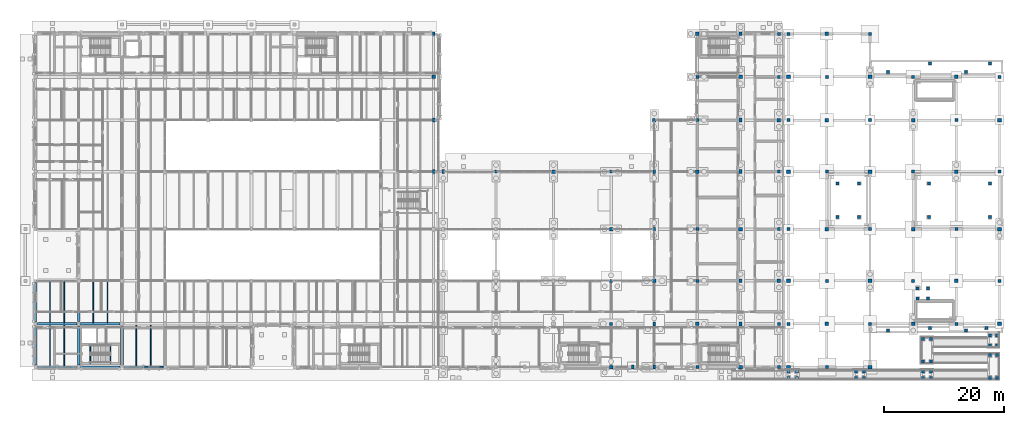
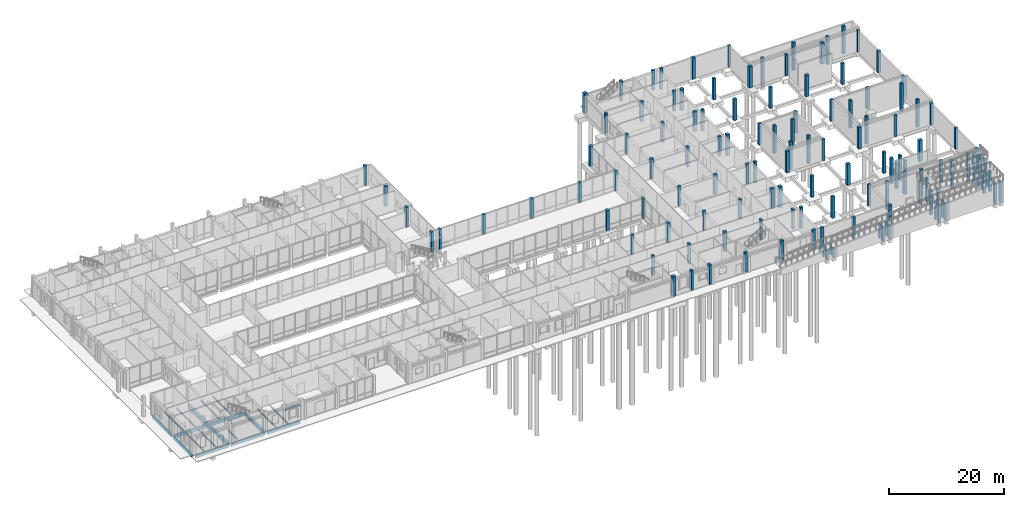
# One storey, part 9 of 104: 129 columns, 21 beams.
"""IFC4 building model written with IfcOpenShell, lengths in metres."""

from ifc_helpers import new_model, si_unit, direction, frame, origin, origin_2d, place, context, subcontext, project, spatial, rectangle, i_section, extrude, material, material_profile, profile_set, type_object, element, save


model = new_model("IFC4")

# Units and contexts
model_context = context("Model", 3, precision=1e-05, world=origin(), true_north=direction((0.0, 1.0)))
body_context = subcontext(model_context, "Body", "Model", "MODEL_VIEW")
ifc_project = project(units=[si_unit("LENGTHUNIT", "METRE"), si_unit("AREAUNIT", "SQUARE_METRE"), si_unit("VOLUMEUNIT", "CUBIC_METRE"), si_unit("PLANEANGLEUNIT", "RADIAN"), si_unit("MASSUNIT", "GRAM", prefix="KILO")], contexts=[model_context])

# Site, building, storey
site_placement = place(None, origin())
site = spatial("IfcSite", under=ifc_project, at=site_placement, CompositionType="ELEMENT")
building_placement = place(site_placement, origin())
building = spatial("IfcBuilding", under=site, at=building_placement, Name="Hawrajan Terrace Health Centre", CompositionType="ELEMENT")
storey_placement = place(building_placement, origin())
storey = spatial("IfcBuildingStorey", under=building, at=storey_placement, Name="L00", CompositionType="ELEMENT", Elevation=0.0)

# Columns
ifc_material_1 = material(Name="Concrete C40/50", Category="concrete")
ifc_material_profile_1 = material_profile(ifc_material_1, rectangle(XDim=0.449951171875, YDim=0.64990234375, at=origin_2d()), Name="RC 450x650")
ifc_profile_set_1 = profile_set([ifc_material_profile_1], Name="Concrete C40/50")
column_type_1 = type_object("IfcColumnType", Name="RCCol_450x650", PredefinedType="COLUMN", material=ifc_profile_set_1)
for number, where, z_axis, x_axis, name in (
    (1, (72.60009765625, 36.800048828125, 0.0), (0.0, 0.0, 1.0), (1.0, 0.0, 0.0), "Column COL-L00-C-X10-Y5"),
    (2, (107.800048828125, 4.199951171875, 0.0), (0.0, 0.0, 1.0), (1.0, 0.0, 0.0), "Column COL-L00-C-X14-Y1"),
    (3, (107.800048828125, 11.39990234375, 0.0), (0.0, 0.0, 1.0), (1.0, 0.0, 0.0), "Column COL-L00-C-X14-Y2"),
    (4, (107.800048828125, 27.199951171875, 0.0), (0.0, 0.0, 1.0), (1.0, 0.0, 0.0), "Column COL-L00-C-X14-Y4"),
    (5, (107.800048828125, 36.800048828125, 0.0), (0.0, 0.0, 1.0), (1.0, 0.0, 0.0), "Column COL-L00-C-X14-Y5"),
    (6, (122.199951171875, 11.39990234375, 0.0), (0.0, 0.0, 1.0), (1.0, 0.0, 0.0), "Column COL-L00-C-X16-Y2"),
    (7, (122.199951171875, 18.60009765625, 0.0), (0.0, 0.0, 1.0), (1.0, 0.0, 0.0), "Column COL-L00-C-X16-Y3"),
    (8, (122.199951171875, 36.800048828125, 0.0), (0.0, 0.0, 1.0), (1.0, 0.0, 0.0), "Column COL-L00-C-X16-Y5"),
    (9, (122.199951171875, 45.39990234375, 0.0), (0.0, 0.0, 1.0), (1.0, 0.0, 0.0), "Column COL-L00-C-X16-Y6"),
    (10, (122.199951171875, 59.800048828125, 0.0), (0.0, 0.0, 1.0), (1.0, 0.0, 0.0), "Column COL-L00-C-X16-Y8"),
    (11, (71.0, 36.800048828125, 0.0), (0.0, 0.0, 1.0), (1.0, 0.0, 0.0), "Column COL-L00-W-X10-Y5"),
    (12, (71.0, 45.39990234375, 0.0), (0.0, 0.0, 1.0), (1.0, 0.0, 0.0), "Column COL-L00-W-X10-Y6"),
    (13, (71.0, 59.800048828125, 0.0), (0.0, 0.0, 1.0), (1.0, 0.0, 0.0), "Column COL-L00-W-X10-Y8"),
):
    element("IfcColumn", number, at=place(storey_placement, frame(where, z_axis=z_axis, x_axis=x_axis)), inside=storey, type_object=column_type_1, Name=name, PredefinedType="COLUMN", context=body_context, shape_type="SweptSolid", body=[
        extrude(rectangle(XDim=0.449951171875, YDim=0.64990234375, at=origin_2d()), origin(), (0.0, 0.0, 1.0), 4.199951171875),
    ])
ifc_material_profile_2 = material_profile(ifc_material_1, rectangle(XDim=0.5, YDim=0.5, at=origin_2d()), Name="RC 500x500")
ifc_profile_set_2 = profile_set([ifc_material_profile_2], Name="Concrete C40/50")
column_type_2 = type_object("IfcColumnType", Name="RCCol_500x500", PredefinedType="COLUMN", material=ifc_profile_set_2)
for number, where, z_axis, x_axis, name in (
    (14, (81.39990234375, 36.800048828125, 0.0), (0.0, 0.0, 1.0), (1.0, 0.0, 0.0), "Column COL-L00-C-X11-Y5"),
    (15, (100.60009765625, 11.39990234375, 0.0), (0.0, 0.0, 1.0), (1.0, 0.0, 0.0), "Column COL-L00-C-X13-Y2"),
    (16, (100.60009765625, 18.60009765625, 0.0), (0.0, 0.0, 1.0), (1.0, 0.0, 0.0), "Column COL-L00-C-X13-Y3"),
    (17, (100.60009765625, 36.800048828125, 0.0), (0.0, 0.0, 1.0), (1.0, 0.0, 0.0), "Column COL-L00-C-X13-Y5"),
    (18, (115.0, 4.199951171875, 0.0), (0.0, 0.0, 1.0), (1.0, 0.0, 0.0), "Column COL-L00-C-X15-Y1"),
    (19, (115.0, 18.60009765625, 0.0), (0.0, 0.0, 1.0), (1.0, 0.0, 0.0), "Column COL-L00-C-X15-Y3"),
    (20, (115.0, 27.199951171875, 0.0), (0.0, 0.0, 1.0), (1.0, 0.0, 0.0), "Column COL-L00-C-X15-Y4"),
    (21, (115.0, 45.39990234375, 0.0), (0.0, 0.0, 1.0), (1.0, 0.0, 0.0), "Column COL-L00-C-X15-Y6"),
    (22, (115.0, 52.60009765625, 0.0), (0.0, 0.0, 1.0), (1.0, 0.0, 0.0), "Column COL-L00-C-X15-Y7"),
    (23, (128.60009765625, 4.199951171875, 0.0), (0.0, 0.0, 1.0), (1.0, 0.0, 0.0), "Column COL-L00-C-X17-Y1"),
    (24, (128.60009765625, 11.39990234375, 0.0), (0.0, 0.0, 1.0), (1.0, 0.0, 0.0), "Column COL-L00-C-X17-Y2"),
    (25, (128.60009765625, 27.199951171875, 0.0), (0.0, 0.0, 1.0), (1.0, 0.0, 0.0), "Column COL-L00-C-X17-Y4"),
    (26, (128.60009765625, 36.800048828125, 0.0), (0.0, 0.0, 1.0), (1.0, 0.0, 0.0), "Column COL-L00-C-X17-Y5"),
    (27, (128.60009765625, 52.60009765625, 0.0), (0.0, 0.0, 1.0), (1.0, 0.0, 0.0), "Column COL-L00-C-X17-Y7"),
    (28, (128.60009765625, 59.800048828125, 0.0), (0.0, 0.0, 1.0), (1.0, 0.0, 0.0), "Column COL-L00-C-X17-Y8"),
):
    element("IfcColumn", number, at=place(storey_placement, frame(where, z_axis=z_axis, x_axis=x_axis)), inside=storey, type_object=column_type_2, Name=name, PredefinedType="COLUMN", context=body_context, shape_type="SweptSolid", body=[
        extrude(rectangle(XDim=0.5, YDim=0.5, at=origin_2d()), origin(), (0.0, 0.0, 1.0), 4.199951171875),
    ])
for number, where, z_axis, x_axis, name in (
    (29, (130.199951171875, 11.39990234375, -0.39990234375), (0.0, 0.0, 1.0), (1.0, 0.0, 0.0), "Column COL-L00-E-X17-Y2"),
    (30, (130.199951171875, 27.199951171875, -0.39990234375), (0.0, 0.0, 1.0), (1.0, 0.0, 0.0), "Column COL-L00-E-X17-Y4"),
    (31, (130.199951171875, 45.39990234375, -0.39990234375), (0.0, 0.0, 1.0), (1.0, 0.0, 0.0), "Column COL-L00-E-X17-Y6"),
    (32, (130.199951171875, 59.800048828125, -0.39990234375), (0.0, 0.0, 1.0), (1.0, 0.0, 0.0), "Column COL-L00-E-X17-Y8"),
    (33, (136.60009765625, 4.199951171875, -0.39990234375), (0.0, 0.0, 1.0), (1.0, 0.0, 0.0), "Column COL-L00-E-X18-Y1"),
    (34, (136.60009765625, 18.60009765625, -0.39990234375), (0.0, 0.0, 1.0), (1.0, 0.0, 0.0), "Column COL-L00-E-X18-Y3"),
    (35, (136.60009765625, 36.800048828125, -0.39990234375), (0.0, 0.0, 1.0), (1.0, 0.0, 0.0), "Column COL-L00-E-X18-Y5"),
    (36, (136.60009765625, 52.60009765625, -0.39990234375), (0.0, 0.0, 1.0), (1.0, 0.0, 0.0), "Column COL-L00-E-X18-Y7"),
    (37, (143.800048828125, 11.39990234375, -0.39990234375), (0.0, 0.0, 1.0), (1.0, 0.0, 0.0), "Column COL-L00-E-X19-Y2"),
    (38, (143.800048828125, 27.199951171875, -0.39990234375), (0.0, 0.0, 1.0), (1.0, 0.0, 0.0), "Column COL-L00-E-X19-Y4"),
    (39, (143.800048828125, 45.39990234375, -0.39990234375), (0.0, 0.0, 1.0), (1.0, 0.0, 0.0), "Column COL-L00-E-X19-Y6"),
    (40, (143.800048828125, 59.800048828125, -0.39990234375), (0.0, 0.0, 1.0), (1.0, 0.0, 0.0), "Column COL-L00-E-X19-Y8"),
    (41, (151.0, 18.60009765625, -0.39990234375), (0.0, 0.0, 1.0), (1.0, 0.0, 0.0), "Column COL-L00-E-X20-Y3"),
    (42, (151.0, 36.800048828125, -0.39990234375), (0.0, 0.0, 1.0), (1.0, 0.0, 0.0), "Column COL-L00-E-X20-Y5"),
    (43, (151.0, 52.60009765625, -0.39990234375), (0.0, 0.0, 1.0), (1.0, 0.0, 0.0), "Column COL-L00-E-X20-Y7"),
    (44, (158.199951171875, 11.39990234375, -0.39990234375), (0.0, 0.0, 1.0), (1.0, 0.0, 0.0), "Column COL-L00-E-X21-Y2"),
    (45, (158.199951171875, 27.199951171875, -0.39990234375), (0.0, 0.0, 1.0), (1.0, 0.0, 0.0), "Column COL-L00-E-X21-Y4"),
    (46, (158.199951171875, 45.39990234375, -0.39990234375), (0.0, 0.0, 1.0), (1.0, 0.0, 0.0), "Column COL-L00-E-X21-Y6"),
    (47, (165.39990234375, 18.60009765625, -0.39990234375), (0.0, 0.0, 1.0), (1.0, 0.0, 0.0), "Column COL-L00-E-X22-Y3"),
    (48, (165.39990234375, 36.800048828125, -0.39990234375), (0.0, 0.0, 1.0), (1.0, 0.0, 0.0), "Column COL-L00-E-X22-Y5"),
    (49, (165.39990234375, 52.60009765625, -0.39990234375), (0.0, 0.0, 1.0), (1.0, 0.0, 0.0), "Column COL-L00-E-X22-Y7"),
):
    element("IfcColumn", number, at=place(storey_placement, frame(where, z_axis=z_axis, x_axis=x_axis)), inside=storey, type_object=column_type_2, Name=name, PredefinedType="COLUMN", context=body_context, shape_type="SweptSolid", body=[
        extrude(rectangle(XDim=0.5, YDim=0.5, at=origin_2d()), origin(), (0.0, 0.0, 1.0), 4.5),
    ])
for number, where, z_axis, x_axis, name in (
    (50, (153.60009765625, 29.199951171875, -1.60009765625), (0.0, 0.0, 1.0), (1.0, 0.0, 0.0), "Escarpment plinth pier APRON-L01-EAST-GAIT-1"),
    (51, (163.800048828125, 29.199951171875, -1.60009765625), (0.0, 0.0, 1.0), (1.0, 0.0, 0.0), "Escarpment plinth pier APRON-L01-EAST-GAIT-2"),
    (52, (163.800048828125, 34.800048828125, -1.60009765625), (0.0, 0.0, 1.0), (1.0, 0.0, 0.0), "Escarpment plinth pier APRON-L01-EAST-GAIT-3"),
    (53, (153.60009765625, 34.800048828125, -1.60009765625), (0.0, 0.0, 1.0), (1.0, 0.0, 0.0), "Escarpment plinth pier APRON-L01-EAST-GAIT-4"),
    (54, (146.800048828125, 10.280029296875, -1.60009765625), (0.0, 0.0, 1.0), (1.0, 0.0, 0.0), "Escarpment plinth pier APRON-L01-EAST-SOUTH-1"),
    (55, (153.800048828125, 10.7099609375, -1.60009765625), (0.0, 0.0, 1.0), (1.0, 0.0, 0.0), "Escarpment plinth pier APRON-L01-EAST-SOUTH-2"),
    (56, (159.800048828125, 10.280029296875, -1.60009765625), (0.0, 0.0, 1.0), (1.0, 0.0, 0.0), "Escarpment plinth pier APRON-L01-EAST-SOUTH-3"),
    (57, (163.199951171875, 10.7099609375, -1.60009765625), (0.0, 0.0, 1.0), (1.0, 0.0, 0.0), "Escarpment plinth pier APRON-L01-EAST-SOUTH-4"),
    (58, (146.800048828125, 53.449951171875, -1.60009765625), (0.0, 0.0, 1.0), (1.0, 0.0, 0.0), "Escarpment plinth pier APRON-L01-EAST-NORTH-1"),
    (59, (153.800048828125, 54.85009765625, -1.60009765625), (0.0, 0.0, 1.0), (1.0, 0.0, 0.0), "Escarpment plinth pier APRON-L01-EAST-NORTH-2"),
    (60, (159.800048828125, 53.449951171875, -1.60009765625), (0.0, 0.0, 1.0), (1.0, 0.0, 0.0), "Escarpment plinth pier APRON-L01-EAST-NORTH-3"),
    (61, (163.800048828125, 54.85009765625, -1.60009765625), (0.0, 0.0, 1.0), (1.0, 0.0, 0.0), "Escarpment plinth pier APRON-L01-EAST-NORTH-4"),
    (62, (138.39990234375, 29.199951171875, -1.60009765625), (0.0, 0.0, 1.0), (1.0, 0.0, 0.0), "Escarpment plinth pier APRON-L01-SERVICE-1"),
    (63, (142.0, 29.199951171875, -1.60009765625), (0.0, 0.0, 1.0), (1.0, 0.0, 0.0), "Escarpment plinth pier APRON-L01-SERVICE-2"),
    (64, (142.0, 34.800048828125, -1.60009765625), (0.0, 0.0, 1.0), (1.0, 0.0, 0.0), "Escarpment plinth pier APRON-L01-SERVICE-3"),
    (65, (138.39990234375, 34.800048828125, -1.60009765625), (0.0, 0.0, 1.0), (1.0, 0.0, 0.0), "Escarpment plinth pier APRON-L01-SERVICE-4"),
):
    element("IfcColumn", number, at=place(storey_placement, frame(where, z_axis=z_axis, x_axis=x_axis)), inside=storey, type_object=column_type_2, Name=name, PredefinedType="COLUMN", context=body_context, shape_type="SweptSolid", body=[
        extrude(rectangle(XDim=0.5, YDim=0.5, at=origin_2d()), origin(), (0.0, 0.0, 1.0), 5.900146484375),
    ])
for number, where, z_axis, x_axis, name in (
    (66, (130.219970703125, 2.419921875, -1.60009765625), (0.0, 0.0, 1.0), (1.0, 0.0, 0.0), "Escarpment plinth pier RMP-01-LND-1"),
    (67, (131.580078125, 2.419921875, -1.60009765625), (0.0, 0.0, 1.0), (1.0, 0.0, 0.0), "Escarpment plinth pier RMP-01-LND-2"),
    (68, (131.580078125, 3.47998046875, -1.60009765625), (0.0, 0.0, 1.0), (1.0, 0.0, 0.0), "Escarpment plinth pier RMP-01-LND-3"),
    (69, (130.219970703125, 3.47998046875, -1.60009765625), (0.0, 0.0, 1.0), (1.0, 0.0, 0.0), "Escarpment plinth pier RMP-01-LND-4"),
):
    element("IfcColumn", number, at=place(storey_placement, frame(where, z_axis=z_axis, x_axis=x_axis)), inside=storey, type_object=column_type_2, Name=name, PredefinedType="COLUMN", context=body_context, shape_type="SweptSolid", body=[
        extrude(rectangle(XDim=0.5, YDim=0.5, at=origin_2d()), origin(), (0.0, 0.0, 1.0), 2.10009765625),
    ])
for number, where, z_axis, x_axis, name in (
    (70, (141.419921875, 2.419921875, -1.60009765625), (0.0, 0.0, 1.0), (1.0, 0.0, 0.0), "Escarpment plinth pier RMP-02-LND-1"),
    (71, (142.780029296875, 2.419921875, -1.60009765625), (0.0, 0.0, 1.0), (1.0, 0.0, 0.0), "Escarpment plinth pier RMP-02-LND-2"),
    (72, (142.780029296875, 3.47998046875, -1.60009765625), (0.0, 0.0, 1.0), (1.0, 0.0, 0.0), "Escarpment plinth pier RMP-02-LND-3"),
    (73, (141.419921875, 3.47998046875, -1.60009765625), (0.0, 0.0, 1.0), (1.0, 0.0, 0.0), "Escarpment plinth pier RMP-02-LND-4"),
):
    element("IfcColumn", number, at=place(storey_placement, frame(where, z_axis=z_axis, x_axis=x_axis)), inside=storey, type_object=column_type_2, Name=name, PredefinedType="COLUMN", context=body_context, shape_type="SweptSolid", body=[
        extrude(rectangle(XDim=0.5, YDim=0.5, at=origin_2d()), origin(), (0.0, 0.0, 1.0), 2.85009765625),
    ])
for number, where, z_axis, x_axis, name in (
    (74, (152.6201171875, 2.419921875, -1.60009765625), (0.0, 0.0, 1.0), (1.0, 0.0, 0.0), "Escarpment plinth pier RMP-03-LND-1"),
    (75, (153.97998046875, 2.419921875, -1.60009765625), (0.0, 0.0, 1.0), (1.0, 0.0, 0.0), "Escarpment plinth pier RMP-03-LND-2"),
    (76, (153.97998046875, 3.47998046875, -1.60009765625), (0.0, 0.0, 1.0), (1.0, 0.0, 0.0), "Escarpment plinth pier RMP-03-LND-3"),
    (77, (152.6201171875, 3.47998046875, -1.60009765625), (0.0, 0.0, 1.0), (1.0, 0.0, 0.0), "Escarpment plinth pier RMP-03-LND-4"),
):
    element("IfcColumn", number, at=place(storey_placement, frame(where, z_axis=z_axis, x_axis=x_axis)), inside=storey, type_object=column_type_2, Name=name, PredefinedType="COLUMN", context=body_context, shape_type="SweptSolid", body=[
        extrude(rectangle(XDim=0.5, YDim=0.5, at=origin_2d()), origin(), (0.0, 0.0, 1.0), 3.60009765625),
    ])
for number, where, z_axis, x_axis, name in (
    (78, (163.820068359375, 2.419921875, -1.60009765625), (0.0, 0.0, 1.0), (1.0, 0.0, 0.0), "Escarpment plinth pier RMP-04-LND-1"),
    (79, (164.97998046875, 2.419921875, -1.60009765625), (0.0, 0.0, 1.0), (1.0, 0.0, 0.0), "Escarpment plinth pier RMP-04-LND-2"),
    (80, (164.97998046875, 6.179931640625, -1.60009765625), (0.0, 0.0, 1.0), (1.0, 0.0, 0.0), "Escarpment plinth pier RMP-04-LND-3"),
    (81, (163.820068359375, 6.179931640625, -1.60009765625), (0.0, 0.0, 1.0), (1.0, 0.0, 0.0), "Escarpment plinth pier RMP-04-LND-4"),
):
    element("IfcColumn", number, at=place(storey_placement, frame(where, z_axis=z_axis, x_axis=x_axis)), inside=storey, type_object=column_type_2, Name=name, PredefinedType="COLUMN", context=body_context, shape_type="SweptSolid", body=[
        extrude(rectangle(XDim=0.5, YDim=0.5, at=origin_2d()), origin(), (0.0, 0.0, 1.0), 4.35009765625),
    ])
for number, where, z_axis, x_axis, name in (
    (82, (152.6201171875, 5.1201171875, -1.60009765625), (0.0, 0.0, 1.0), (1.0, 0.0, 0.0), "Escarpment plinth pier RMP-05-LND-1"),
    (83, (153.97998046875, 5.1201171875, -1.60009765625), (0.0, 0.0, 1.0), (1.0, 0.0, 0.0), "Escarpment plinth pier RMP-05-LND-2"),
    (84, (153.97998046875, 8.8798828125, -1.60009765625), (0.0, 0.0, 1.0), (1.0, 0.0, 0.0), "Escarpment plinth pier RMP-05-LND-3"),
    (85, (152.6201171875, 8.8798828125, -1.60009765625), (0.0, 0.0, 1.0), (1.0, 0.0, 0.0), "Escarpment plinth pier RMP-05-LND-4"),
):
    element("IfcColumn", number, at=place(storey_placement, frame(where, z_axis=z_axis, x_axis=x_axis)), inside=storey, type_object=column_type_2, Name=name, PredefinedType="COLUMN", context=body_context, shape_type="SweptSolid", body=[
        extrude(rectangle(XDim=0.5, YDim=0.5, at=origin_2d()), origin(), (0.0, 0.0, 1.0), 5.10009765625),
    ])
for number, where, z_axis, x_axis, name in (
    (86, (163.820068359375, 7.820068359375, -1.60009765625), (0.0, 0.0, 1.0), (1.0, 0.0, 0.0), "Escarpment plinth pier RMP-06-LND-1"),
    (87, (164.97998046875, 7.820068359375, -1.60009765625), (0.0, 0.0, 1.0), (1.0, 0.0, 0.0), "Escarpment plinth pier RMP-06-LND-2"),
    (88, (164.97998046875, 9.47998046875, -1.60009765625), (0.0, 0.0, 1.0), (1.0, 0.0, 0.0), "Escarpment plinth pier RMP-06-LND-3"),
    (89, (163.820068359375, 9.47998046875, -1.60009765625), (0.0, 0.0, 1.0), (1.0, 0.0, 0.0), "Escarpment plinth pier RMP-06-LND-4"),
):
    element("IfcColumn", number, at=place(storey_placement, frame(where, z_axis=z_axis, x_axis=x_axis)), inside=storey, type_object=column_type_2, Name=name, PredefinedType="COLUMN", context=body_context, shape_type="SweptSolid", body=[
        extrude(rectangle(XDim=0.5, YDim=0.5, at=origin_2d()), origin(), (0.0, 0.0, 1.0), 5.85009765625),
    ])
for number, where, z_axis, x_axis, name in (
    (90, (151.75, 15.64990234375, -2.10009765625), (0.0, 0.0, 1.0), (1.0, 0.0, 0.0), "Lift pit support column LC-06-1"),
    (91, (153.449951171875, 15.64990234375, -2.10009765625), (0.0, 0.0, 1.0), (1.0, 0.0, 0.0), "Lift pit support column LC-06-2"),
    (92, (153.449951171875, 17.35009765625, -2.10009765625), (0.0, 0.0, 1.0), (1.0, 0.0, 0.0), "Lift pit support column LC-06-3"),
    (93, (151.75, 17.35009765625, -2.10009765625), (0.0, 0.0, 1.0), (1.0, 0.0, 0.0), "Lift pit support column LC-06-4"),
):
    element("IfcColumn", number, at=place(storey_placement, frame(where, z_axis=z_axis, x_axis=x_axis)), inside=storey, type_object=column_type_2, Name=name, PredefinedType="COLUMN", context=body_context, shape_type="SweptSolid", body=[
        extrude(rectangle(XDim=0.5, YDim=0.5, at=origin_2d()), origin(), (0.0, 0.0, 1.0), 5.400146484375),
    ])
ifc_material_profile_3 = material_profile(ifc_material_1, rectangle(XDim=0.60009765625, YDim=0.60009765625, at=origin_2d()), Name="RC 600x600")
ifc_profile_set_3 = profile_set([ifc_material_profile_3], Name="Concrete C40/50")
column_type_3 = type_object("IfcColumnType", Name="RCCol_600x600", PredefinedType="COLUMN", material=ifc_profile_set_3)
for number, where, z_axis, x_axis, name in (
    (94, (91.0, 36.800048828125, 0.0), (0.0, 0.0, 1.0), (1.0, 0.0, 0.0), "Column COL-L00-C-X12-Y5"),
    (95, (100.60009765625, 4.199951171875, 0.0), (0.0, 0.0, 1.0), (1.0, 0.0, 0.0), "Column COL-L00-C-X13-Y1"),
    (96, (100.60009765625, 27.199951171875, 0.0), (0.0, 0.0, 1.0), (1.0, 0.0, 0.0), "Column COL-L00-C-X13-Y4"),
    (97, (107.800048828125, 18.60009765625, 0.0), (0.0, 0.0, 1.0), (1.0, 0.0, 0.0), "Column COL-L00-C-X14-Y3"),
    (98, (107.800048828125, 45.39990234375, 0.0), (0.0, 0.0, 1.0), (1.0, 0.0, 0.0), "Column COL-L00-C-X14-Y6"),
    (99, (115.0, 11.39990234375, 0.0), (0.0, 0.0, 1.0), (1.0, 0.0, 0.0), "Column COL-L00-C-X15-Y2"),
    (100, (115.0, 36.800048828125, 0.0), (0.0, 0.0, 1.0), (1.0, 0.0, 0.0), "Column COL-L00-C-X15-Y5"),
    (101, (115.0, 59.800048828125, 0.0), (0.0, 0.0, 1.0), (1.0, 0.0, 0.0), "Column COL-L00-C-X15-Y8"),
    (102, (122.199951171875, 4.199951171875, 0.0), (0.0, 0.0, 1.0), (1.0, 0.0, 0.0), "Column COL-L00-C-X16-Y1"),
    (103, (122.199951171875, 27.199951171875, 0.0), (0.0, 0.0, 1.0), (1.0, 0.0, 0.0), "Column COL-L00-C-X16-Y4"),
    (104, (122.199951171875, 52.60009765625, 0.0), (0.0, 0.0, 1.0), (1.0, 0.0, 0.0), "Column COL-L00-C-X16-Y7"),
    (105, (128.60009765625, 18.60009765625, 0.0), (0.0, 0.0, 1.0), (1.0, 0.0, 0.0), "Column COL-L00-C-X17-Y3"),
    (106, (128.60009765625, 45.39990234375, 0.0), (0.0, 0.0, 1.0), (1.0, 0.0, 0.0), "Column COL-L00-C-X17-Y6"),
):
    element("IfcColumn", number, at=place(storey_placement, frame(where, z_axis=z_axis, x_axis=x_axis)), inside=storey, type_object=column_type_3, Name=name, PredefinedType="COLUMN", context=body_context, shape_type="SweptSolid", body=[
        extrude(rectangle(XDim=0.60009765625, YDim=0.60009765625, at=origin_2d()), origin(), (0.0, 0.0, 1.0), 4.199951171875),
    ])
for number, where, z_axis, x_axis, name in (
    (107, (130.199951171875, 4.199951171875, -0.39990234375), (0.0, 0.0, 1.0), (1.0, 0.0, 0.0), "Column COL-L00-E-X17-Y1"),
    (108, (130.199951171875, 18.60009765625, -0.39990234375), (0.0, 0.0, 1.0), (1.0, 0.0, 0.0), "Column COL-L00-E-X17-Y3"),
    (109, (130.199951171875, 36.800048828125, -0.39990234375), (0.0, 0.0, 1.0), (1.0, 0.0, 0.0), "Column COL-L00-E-X17-Y5"),
    (110, (130.199951171875, 52.60009765625, -0.39990234375), (0.0, 0.0, 1.0), (1.0, 0.0, 0.0), "Column COL-L00-E-X17-Y7"),
    (111, (136.60009765625, 11.39990234375, -0.39990234375), (0.0, 0.0, 1.0), (1.0, 0.0, 0.0), "Column COL-L00-E-X18-Y2"),
    (112, (136.60009765625, 27.199951171875, -0.39990234375), (0.0, 0.0, 1.0), (1.0, 0.0, 0.0), "Column COL-L00-E-X18-Y4"),
    (113, (136.60009765625, 45.39990234375, -0.39990234375), (0.0, 0.0, 1.0), (1.0, 0.0, 0.0), "Column COL-L00-E-X18-Y6"),
    (114, (136.60009765625, 59.800048828125, -0.39990234375), (0.0, 0.0, 1.0), (1.0, 0.0, 0.0), "Column COL-L00-E-X18-Y8"),
    (115, (143.800048828125, 4.199951171875, -0.39990234375), (0.0, 0.0, 1.0), (1.0, 0.0, 0.0), "Column COL-L00-E-X19-Y1"),
    (116, (143.800048828125, 18.60009765625, -0.39990234375), (0.0, 0.0, 1.0), (1.0, 0.0, 0.0), "Column COL-L00-E-X19-Y3"),
    (117, (143.800048828125, 36.800048828125, -0.39990234375), (0.0, 0.0, 1.0), (1.0, 0.0, 0.0), "Column COL-L00-E-X19-Y5"),
    (118, (143.800048828125, 52.60009765625, -0.39990234375), (0.0, 0.0, 1.0), (1.0, 0.0, 0.0), "Column COL-L00-E-X19-Y7"),
    (119, (151.0, 11.39990234375, -0.39990234375), (0.0, 0.0, 1.0), (1.0, 0.0, 0.0), "Column COL-L00-E-X20-Y2"),
    (120, (151.0, 27.199951171875, -0.39990234375), (0.0, 0.0, 1.0), (1.0, 0.0, 0.0), "Column COL-L00-E-X20-Y4"),
    (121, (151.0, 45.39990234375, -0.39990234375), (0.0, 0.0, 1.0), (1.0, 0.0, 0.0), "Column COL-L00-E-X20-Y6"),
    (122, (158.199951171875, 18.60009765625, -0.39990234375), (0.0, 0.0, 1.0), (1.0, 0.0, 0.0), "Column COL-L00-E-X21-Y3"),
    (123, (158.199951171875, 36.800048828125, -0.39990234375), (0.0, 0.0, 1.0), (1.0, 0.0, 0.0), "Column COL-L00-E-X21-Y5"),
    (124, (158.199951171875, 52.60009765625, -0.39990234375), (0.0, 0.0, 1.0), (1.0, 0.0, 0.0), "Column COL-L00-E-X21-Y7"),
    (125, (165.39990234375, 11.39990234375, -0.39990234375), (0.0, 0.0, 1.0), (1.0, 0.0, 0.0), "Column COL-L00-E-X22-Y2"),
    (126, (165.39990234375, 27.199951171875, -0.39990234375), (0.0, 0.0, 1.0), (1.0, 0.0, 0.0), "Column COL-L00-E-X22-Y4"),
    (127, (165.39990234375, 45.39990234375, -0.39990234375), (0.0, 0.0, 1.0), (1.0, 0.0, 0.0), "Column COL-L00-E-X22-Y6"),
):
    element("IfcColumn", number, at=place(storey_placement, frame(where, z_axis=z_axis, x_axis=x_axis)), inside=storey, type_object=column_type_3, Name=name, PredefinedType="COLUMN", context=body_context, shape_type="SweptSolid", body=[
        extrude(rectangle(XDim=0.60009765625, YDim=0.60009765625, at=origin_2d()), origin(), (0.0, 0.0, 1.0), 4.5),
    ])
column_1_placement = place(storey_placement, frame((71.0, 52.60009765625, 0.0), z_axis=(0.0, 0.0, 1.0), x_axis=(1.0, 0.0, 0.0)))
element("IfcColumn", 128, at=column_1_placement, inside=storey, type_object=column_type_3, Name="Column COL-L00-W-X10-Y7", PredefinedType="COLUMN", context=body_context, shape_type="SweptSolid", body=[
    extrude(rectangle(XDim=0.60009765625, YDim=0.60009765625, at=origin_2d()), origin(), (0.0, 0.0, 1.0), 4.199951171875),
])
ifc_material_profile_4 = material_profile(ifc_material_1, rectangle(XDim=0.39990234375, YDim=0.6201171875, at=origin_2d()), Name="RC PIL 400x620")
ifc_profile_set_4 = profile_set([ifc_material_profile_4], Name="Concrete C40/50")
column_type_4 = type_object("IfcColumnType", Name="RCPilaster_400x620", PredefinedType="PILASTER", material=ifc_profile_set_4)
column_2_placement = place(storey_placement, frame((104.199951171875, 4.199951171875, 0.0), z_axis=(0.0, 0.0, 1.0), x_axis=(1.0, 0.0, 0.0)))
element("IfcColumn", 129, at=column_2_placement, inside=storey, type_object=column_type_4, Name="Art Deco fluted pilaster L00-13-Y1", PredefinedType="PILASTER", context=body_context, shape_type="SweptSolid", body=[
    extrude(rectangle(XDim=0.39990234375, YDim=0.6201171875, at=origin_2d()), origin(), (0.0, 0.0, 1.0), 4.199951171875),
])

# Beams
ifc_material_profile_5 = material_profile(ifc_material_1, rectangle(XDim=0.39990234375, YDim=0.60009765625, at=origin_2d()), Name="RC BM 400x600")
ifc_profile_set_5 = profile_set([ifc_material_profile_5], Name="Concrete C40/50")
beam_type_1 = type_object("IfcBeamType", Name="RCGirder_400x600", PredefinedType="BEAM", material=ifc_profile_set_5)
beam_1_placement = place(storey_placement, frame((4.925048828125, 11.39990234375, -0.60009765625), z_axis=(1.0, 0.0, 0.0), x_axis=(0.0, 1.0, 0.0)))
element("IfcBeam", 130, at=beam_1_placement, inside=storey, type_object=beam_type_1, Name="Beam BM-X-L00-W-01-Y2", PredefinedType="BEAM", context=body_context, shape_type="SweptSolid", body=[
    extrude(rectangle(XDim=0.39990234375, YDim=0.60009765625, at=origin_2d()), origin(), (0.0, 0.0, 1.0), 6.599853515625),
])
beam_2_placement = place(storey_placement, frame((12.074951171875, 11.39990234375, -0.60009765625), z_axis=(1.0, 0.0, 0.0), x_axis=(0.0, 1.0, 0.0)))
element("IfcBeam", 131, at=beam_2_placement, inside=storey, type_object=beam_type_1, Name="Beam BM-X-L00-W-02-Y2", PredefinedType="BEAM", context=body_context, shape_type="SweptSolid", body=[
    extrude(rectangle(XDim=0.39990234375, YDim=0.60009765625, at=origin_2d()), origin(), (0.0, 0.0, 1.0), 6.574951171875),
])
ifc_material_profile_6 = material_profile(ifc_material_1, rectangle(XDim=0.449951171875, YDim=0.699951171875, at=origin_2d()), Name="RC BM 450x700")
ifc_profile_set_6 = profile_set([ifc_material_profile_6], Name="Concrete C40/50")
beam_type_2 = type_object("IfcBeamType", Name="RCGirder_450x700", PredefinedType="BEAM", material=ifc_profile_set_6)
beam_3_placement = place(storey_placement, frame((11.800048828125, 4.574951171875, -0.64990234375), z_axis=(0.0, 1.0, 0.0), x_axis=(-1.0, 0.0, 0.0)))
element("IfcBeam", 132, at=beam_3_placement, inside=storey, type_object=beam_type_2, Name="Beam BM-Y-L00-W-X02-1", PredefinedType="BEAM", context=body_context, shape_type="SweptSolid", body=[
    extrude(rectangle(XDim=0.449951171875, YDim=0.699951171875, at=origin_2d()), origin(), (0.0, 0.0, 1.0), 6.449951171875),
])
beam_4_placement = place(storey_placement, frame((11.800048828125, 11.77490234375, -0.64990234375), z_axis=(0.0, 1.0, 0.0), x_axis=(-1.0, 0.0, 0.0)))
element("IfcBeam", 133, at=beam_4_placement, inside=storey, type_object=beam_type_2, Name="Beam BM-Y-L00-W-X02-2", PredefinedType="BEAM", context=body_context, shape_type="SweptSolid", body=[
    extrude(rectangle(XDim=0.449951171875, YDim=0.699951171875, at=origin_2d()), origin(), (0.0, 0.0, 1.0), 6.47509765625),
])
beam_5_placement = place(storey_placement, frame((19.0, 4.52490234375, -0.64990234375), z_axis=(0.0, 1.0, 0.0), x_axis=(-1.0, 0.0, 0.0)))
element("IfcBeam", 134, at=beam_5_placement, inside=storey, type_object=beam_type_2, Name="Beam BM-Y-L00-W-X03-1", PredefinedType="BEAM", context=body_context, shape_type="SweptSolid", body=[
    extrude(rectangle(XDim=0.449951171875, YDim=0.699951171875, at=origin_2d()), origin(), (0.0, 0.0, 1.0), 6.525146484375),
])
ifc_material_profile_7 = material_profile(ifc_material_1, rectangle(XDim=0.300048828125, YDim=0.3798828125, at=origin_2d()), Name="RC LN 300x380")
ifc_profile_set_7 = profile_set([ifc_material_profile_7], Name="Concrete C40/50")
beam_type_3 = type_object("IfcBeamType", Name="RCLintel_300x380", PredefinedType="LINTEL", material=ifc_profile_set_7)
beam_6_placement = place(storey_placement, frame((22.800048828125, 4.199951171875, 3.0048828125), z_axis=(1.0, 0.0, 0.0), x_axis=(0.0, 1.0, 0.0)))
element("IfcBeam", 135, at=beam_6_placement, inside=storey, type_object=beam_type_3, Name="Window lintel LNT-L00-016", PredefinedType="LINTEL", context=body_context, shape_type="SweptSolid", body=[
    extrude(rectangle(XDim=0.300048828125, YDim=0.3798828125, at=origin_2d()), origin(), (0.0, 0.0, 1.0), 3.099853515625),
])
ifc_material_profile_8 = material_profile(ifc_material_1, rectangle(XDim=0.35009765625, YDim=0.52001953125, at=origin_2d()), Name="RC SP 350x520")
ifc_profile_set_8 = profile_set([ifc_material_profile_8], Name="Concrete C40/50")
beam_type_4 = type_object("IfcBeamType", Name="RCSpandrel_350x520", PredefinedType="SPANDREL", material=ifc_profile_set_8)
beam_7_placement = place(storey_placement, frame((4.949951171875, 4.199951171875, -0.56005859375), z_axis=(1.0, 0.0, 0.0), x_axis=(0.0, 1.0, 0.0)))
element("IfcBeam", 136, at=beam_7_placement, inside=storey, type_object=beam_type_4, Name="Beam BM-X-L00-W-01-Y1", PredefinedType="SPANDREL", context=body_context, shape_type="SweptSolid", body=[
    extrude(rectangle(XDim=0.35009765625, YDim=0.52001953125, at=origin_2d()), origin(), (0.0, 0.0, 1.0), 6.574951171875),
])
beam_8_placement = place(storey_placement, frame((12.074951171875, 4.199951171875, -0.56005859375), z_axis=(1.0, 0.0, 0.0), x_axis=(0.0, 1.0, 0.0)))
element("IfcBeam", 137, at=beam_8_placement, inside=storey, type_object=beam_type_4, Name="Beam BM-X-L00-W-02-Y1", PredefinedType="SPANDREL", context=body_context, shape_type="SweptSolid", body=[
    extrude(rectangle(XDim=0.35009765625, YDim=0.52001953125, at=origin_2d()), origin(), (0.0, 0.0, 1.0), 6.60009765625),
])
beam_9_placement = place(storey_placement, frame((19.324951171875, 4.199951171875, -0.56005859375), z_axis=(1.0, 0.0, 0.0), x_axis=(0.0, 1.0, 0.0)))
element("IfcBeam", 138, at=beam_9_placement, inside=storey, type_object=beam_type_4, Name="Beam BM-X-L00-W-03-Y1", PredefinedType="SPANDREL", context=body_context, shape_type="SweptSolid", body=[
    extrude(rectangle(XDim=0.35009765625, YDim=0.52001953125, at=origin_2d()), origin(), (0.0, 0.0, 1.0), 6.525146484375),
])
beam_10_placement = place(storey_placement, frame((4.60009765625, 4.550048828125, -0.56005859375), z_axis=(0.0, 1.0, 0.0), x_axis=(-1.0, 0.0, 0.0)))
element("IfcBeam", 139, at=beam_10_placement, inside=storey, type_object=beam_type_4, Name="Beam BM-Y-L00-W-X01-1", PredefinedType="SPANDREL", context=body_context, shape_type="SweptSolid", body=[
    extrude(rectangle(XDim=0.35009765625, YDim=0.52001953125, at=origin_2d()), origin(), (0.0, 0.0, 1.0), 6.52490234375),
])
beam_11_placement = place(storey_placement, frame((4.60009765625, 11.72509765625, -0.56005859375), z_axis=(0.0, 1.0, 0.0), x_axis=(-1.0, 0.0, 0.0)))
element("IfcBeam", 140, at=beam_11_placement, inside=storey, type_object=beam_type_4, Name="Beam BM-Y-L00-W-X01-2", PredefinedType="SPANDREL", context=body_context, shape_type="SweptSolid", body=[
    extrude(rectangle(XDim=0.35009765625, YDim=0.52001953125, at=origin_2d()), origin(), (0.0, 0.0, 1.0), 6.5498046875),
])
ifc_material_2 = material(Name="Steel S355", Category="steel")
ifc_material_profile_9 = material_profile(ifc_material_2, i_section(OverallWidth=0.14990234375, OverallDepth=0.300048828125, WebThickness=0.007080078125, FlangeThickness=0.0107421875, FilletRadius=0.014892578125, at=origin_2d()), Name="IPE 300")
ifc_profile_set_9 = profile_set([ifc_material_profile_9], Name="Steel S355")
beam_type_5 = type_object("IfcBeamType", Name="SteelBeam_IPE300", PredefinedType="JOIST", material=ifc_profile_set_9)
for number, where, z_axis, x_axis, name in (
    (141, (7.0, 4.375, -0.449951171875), (0.0, 1.0, 0.0), (-1.0, 0.0, 0.0), "Secondary joist JST-L00-W-01-1-1"),
    (142, (9.39990234375, 4.375, -0.449951171875), (0.0, 1.0, 0.0), (-1.0, 0.0, 0.0), "Secondary joist JST-L00-W-01-1-2"),
    (143, (7.0, 11.60009765625, -0.449951171875), (0.0, 1.0, 0.0), (-1.0, 0.0, 0.0), "Secondary joist JST-L00-W-01-2-1"),
    (144, (9.39990234375, 11.60009765625, -0.449951171875), (0.0, 1.0, 0.0), (-1.0, 0.0, 0.0), "Secondary joist JST-L00-W-01-2-2"),
):
    element("IfcBeam", number, at=place(storey_placement, frame(where, z_axis=z_axis, x_axis=x_axis)), inside=storey, type_object=beam_type_5, Name=name, PredefinedType="JOIST", context=body_context, shape_type="SweptSolid", body=[
        extrude(i_section(OverallWidth=0.14990234375, OverallDepth=0.300048828125, WebThickness=0.007080078125, FlangeThickness=0.0107421875, FilletRadius=0.014892578125, at=origin_2d()), origin(), (0.0, 0.0, 1.0), 6.824951171875),
    ])
for number, where, z_axis, x_axis, name in (
    (145, (14.199951171875, 11.60009765625, -0.449951171875), (0.0, 1.0, 0.0), (-1.0, 0.0, 0.0), "Secondary joist JST-L00-W-02-2-1"),
    (146, (16.60009765625, 11.60009765625, -0.449951171875), (0.0, 1.0, 0.0), (-1.0, 0.0, 0.0), "Secondary joist JST-L00-W-02-2-2"),
):
    element("IfcBeam", number, at=place(storey_placement, frame(where, z_axis=z_axis, x_axis=x_axis)), inside=storey, type_object=beam_type_5, Name=name, PredefinedType="JOIST", context=body_context, shape_type="SweptSolid", body=[
        extrude(i_section(OverallWidth=0.14990234375, OverallDepth=0.300048828125, WebThickness=0.007080078125, FlangeThickness=0.0107421875, FilletRadius=0.014892578125, at=origin_2d()), origin(), (0.0, 0.0, 1.0), 6.77490234375),
    ])
for number, where, z_axis, x_axis, name in (
    (147, (21.39990234375, 4.375, -0.449951171875), (0.0, 1.0, 0.0), (-1.0, 0.0, 0.0), "Secondary joist JST-L00-W-03-1-1"),
    (148, (23.800048828125, 4.375, -0.449951171875), (0.0, 1.0, 0.0), (-1.0, 0.0, 0.0), "Secondary joist JST-L00-W-03-1-2"),
):
    element("IfcBeam", number, at=place(storey_placement, frame(where, z_axis=z_axis, x_axis=x_axis)), inside=storey, type_object=beam_type_5, Name=name, PredefinedType="JOIST", context=body_context, shape_type="SweptSolid", body=[
        extrude(i_section(OverallWidth=0.14990234375, OverallDepth=0.300048828125, WebThickness=0.007080078125, FlangeThickness=0.0107421875, FilletRadius=0.014892578125, at=origin_2d()), origin(), (0.0, 0.0, 1.0), 6.824951171875),
    ])
for number, where, z_axis, x_axis, name in (
    (149, (13.699951171875, 4.800048828125, -0.3701171875), (0.0, 1.0, 0.0), (-1.0, 0.0, 0.0), "Stair landing trimmer ST-3-L00-B0"),
    (150, (17.10009765625, 4.800048828125, 1.8798828125), (0.0, 1.0, 0.0), (-1.0, 0.0, 0.0), "Stair half-landing trimmer ST-3-L00-B1"),
):
    element("IfcBeam", number, at=place(storey_placement, frame(where, z_axis=z_axis, x_axis=x_axis)), inside=storey, type_object=beam_type_5, Name=name, PredefinedType="JOIST", context=body_context, shape_type="SweptSolid", body=[
        extrude(i_section(OverallWidth=0.14990234375, OverallDepth=0.300048828125, WebThickness=0.007080078125, FlangeThickness=0.0107421875, FilletRadius=0.014892578125, at=origin_2d()), origin(), (0.0, 0.0, 1.0), 3.199951171875),
    ])

save(model, "model.ifc")
